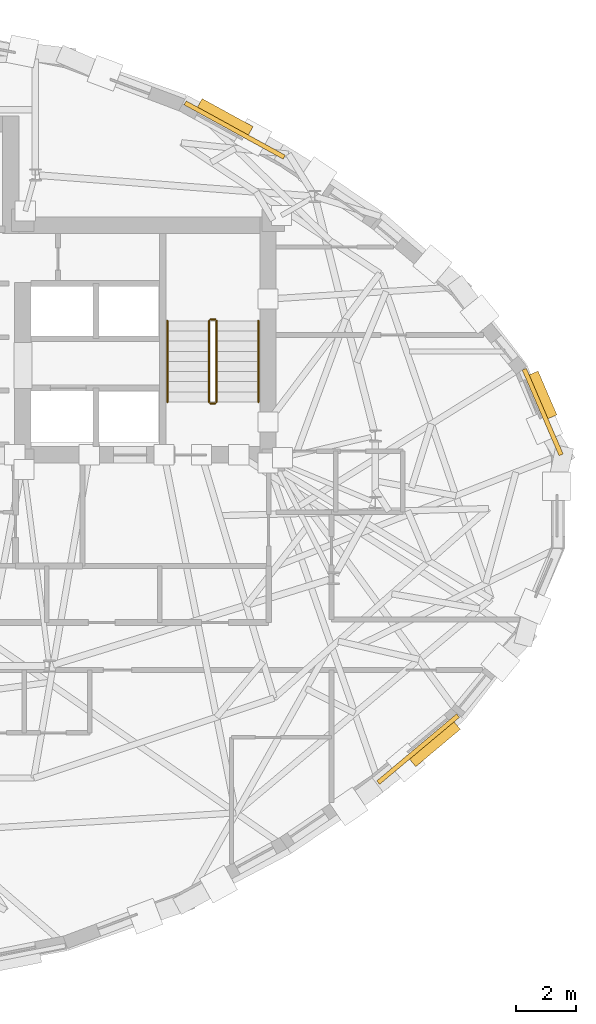
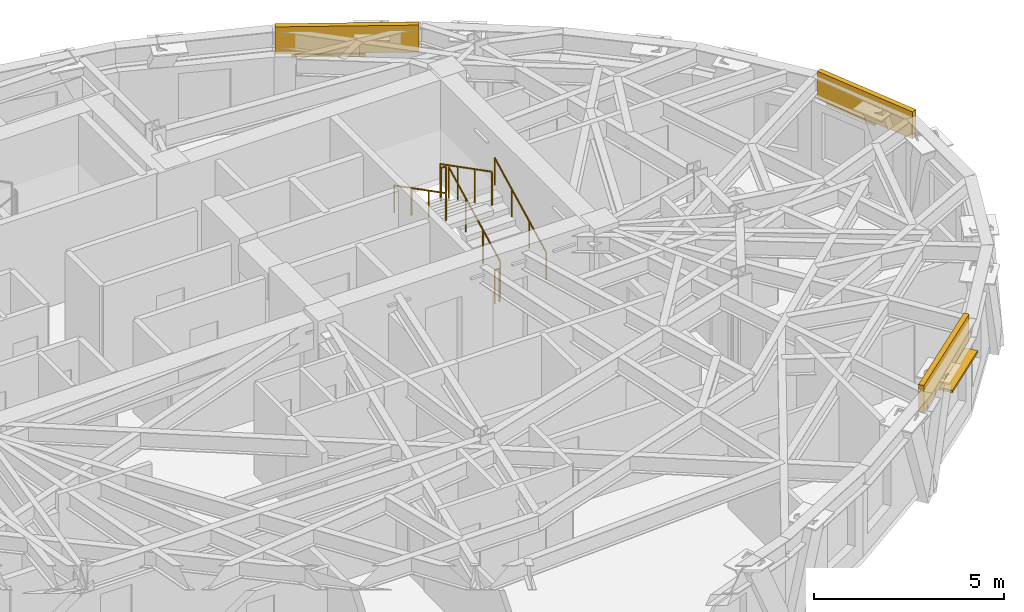
# One storey, part 14 of 14: 6 railings, 3 coverings, 3 shading devices.
"""IFC4 building model written with IfcOpenShell, lengths in metres."""

from ifc_helpers import new_model, si_unit, direction, frame, origin, origin_2d, place, context, subcontext, project, spatial, rectangle, circle, extrude, material, layer, layer_set, type_object, element, save


model = new_model("IFC4")

# Units and contexts
model_context = context("Model", 3, precision=1e-05, world=origin(), true_north=direction((0.0, 1.0)))
body_context = subcontext(model_context, "Body", "Model", "MODEL_VIEW")
ifc_project = project(units=[si_unit("LENGTHUNIT", "METRE"), si_unit("AREAUNIT", "SQUARE_METRE"), si_unit("VOLUMEUNIT", "CUBIC_METRE"), si_unit("PLANEANGLEUNIT", "RADIAN"), si_unit("MASSUNIT", "GRAM", prefix="KILO")], contexts=[model_context])

# Site, building, storey
site_placement = place(None, origin())
site = spatial("IfcSite", under=ifc_project, at=site_placement, CompositionType="ELEMENT")
building_placement = place(site_placement, origin())
building = spatial("IfcBuilding", under=site, at=building_placement, Name="Keldmark Tower", CompositionType="ELEMENT")
storey_placement = place(building_placement, frame((0.0, 0.0, 216.300048828125)))
storey = spatial("IfcBuildingStorey", under=building, at=storey_placement, Name="L60", CompositionType="ELEMENT", Elevation=216.300048828125)

# Shading devices
ifc_material_1 = material(Name="Kasota Buff Limestone Bullnose and Bronze Anodized Aluminum", Category="masonry")
ifc_layer_1 = layer(ifc_material_1, 0.080078125)
ifc_layer_set_1 = layer_set([ifc_layer_1], Name="Kasota Buff Limestone Bullnose and Bronze Anodized Aluminum")
shading_device_type = type_object("IfcShadingDeviceType", Name="Deep-Set Punched Window Stone-and-Metal Sunshade", PredefinedType="AWNING", material=ifc_layer_set_1)
shading_device_placement = place(storey_placement, frame((22.609130859375, 3.568115234375, 2.10986328125), z_axis=(0.0, 0.0, 1.0), x_axis=(0.394743856384, -0.918791210149, 0.0)))
element("IfcShadingDevice", 1, at=shading_device_placement, inside=storey, type_object=shading_device_type, Name="L60 Kasota Stone Window Sunshade 01", PredefinedType="AWNING", context=body_context, shape_type="SweptSolid", body=[
    extrude(rectangle(XDim=1.60009765625, YDim=0.419921875, at=origin_2d()), origin(), (0.0, 0.0, 1.0), 0.080078125),
])
for number, where, z_axis, x_axis, name in (
    (2, (11.969482421875, 12.8740234375, 2.10986328125), (0.0, 0.0, 1.0), (0.876877819519, -0.480713313355, 0.0), "L60 Kasota Stone Window Sunshade 05"),
    (3, (18.99560546875, -8.098388671875, 2.10986328125), (0.0, 0.0, 1.0), (-0.766066880173, -0.642760869299, 0.0), "L60 Kasota Stone Window Sunshade 29"),
):
    element("IfcShadingDevice", number, at=place(storey_placement, frame(where, z_axis=z_axis, x_axis=x_axis)), inside=storey, type_object=shading_device_type, Name=name, PredefinedType="AWNING", context=body_context, shape_type="SweptSolid", body=[
        extrude(rectangle(XDim=1.949951171875, YDim=0.419921875, at=origin_2d()), origin(), (0.0, 0.0, 1.0), 0.080078125),
    ])

# Coverings
ifc_material_2 = material(Name="Honed Kasota Buff Dolomitic Limestone", Category="masonry")
ifc_layer_2 = layer(ifc_material_2, 0.074951171875)
ifc_layer_set_2 = layer_set([ifc_layer_2], Name="Honed Kasota Buff Dolomitic Limestone")
covering_type = type_object("IfcCoveringType", Name="Kasota Buff Limestone Spandrel Cladding Band", PredefinedType="CLADDING", material=ifc_layer_set_2)
covering_1_placement = place(storey_placement, frame((22.641845703125, 3.01123046875, 2.260009765625), z_axis=(0.0, 0.0, 1.0), x_axis=(-0.394743856384, 0.918791210149, 0.0)))
element("IfcCovering", 4, at=covering_1_placement, inside=storey, type_object=covering_type, Name="L60 Kasota Limestone Spandrel Band 01", PredefinedType="CLADDING", context=body_context, shape_type="SweptSolid", body=[
    extrude(rectangle(XDim=3.12890625, YDim=0.14990234375, at=origin_2d()), origin(), (0.0, 0.0, 1.0), 0.8701171875),
])
covering_2_placement = place(storey_placement, frame((12.306396484375, 12.472900390625, 2.260009765625), z_axis=(0.0, 0.0, 1.0), x_axis=(-0.876877819519, 0.480713313355, 0.0)))
element("IfcCovering", 5, at=covering_2_placement, inside=storey, type_object=covering_type, Name="L60 Kasota Limestone Spandrel Band 05", PredefinedType="CLADDING", context=body_context, shape_type="SweptSolid", body=[
    extrude(rectangle(XDim=3.78759765625, YDim=0.14990234375, at=origin_2d()), origin(), (0.0, 0.0, 1.0), 0.8701171875),
])
covering_3_placement = place(storey_placement, frame((18.461669921875, -8.298095703125, 2.260009765625), z_axis=(0.0, 0.0, 1.0), x_axis=(0.766066880173, 0.642760869299, 0.0)))
element("IfcCovering", 6, at=covering_3_placement, inside=storey, type_object=covering_type, Name="L60 Kasota Limestone Spandrel Band 29", PredefinedType="CLADDING", context=body_context, shape_type="SweptSolid", body=[
    extrude(rectangle(XDim=3.49560546875, YDim=0.14990234375, at=origin_2d()), origin(), (0.0, 0.0, 1.0), 0.8701171875),
])

# Railings
ifc_material_3 = material(Name="Painted Steel ASTM A500 Grade B", Category="steel")
railing_type_1 = type_object("IfcRailingType", Name="Painted Steel Stair Well Guard 1100 mm", PredefinedType="GUARDRAIL", material=ifc_material_3)
railing_1_placement = place(storey_placement, frame((11.699951171875, 3.35009765625, 0.175048828125)))
element("IfcRailing", 7, at=railing_1_placement, inside=storey, type_object=railing_type_1, Name="L60 ST2 stair guard 1", PredefinedType="GUARDRAIL", context=body_context, shape_type="SweptSolid", body=[
    extrude(circle(Radius=0.02392578125, at=origin_2d()), frame((0.0, 0.0, 1.076171875), z_axis=(0.0, 0.889146794209, 0.457622091194), x_axis=(-1.0, 0.0, 0.0)), (0.0, 0.0, 1.0), 3.05908203125),
    extrude(circle(Radius=0.02099609375, at=origin_2d()), origin(), (0.0, 0.0, 1.0), 1.052001953125),
    extrude(circle(Radius=0.02099609375, at=origin_2d()), frame((0.0, 0.90673828125, 0.466552734375)), (0.0, 0.0, 1.0), 1.052001953125),
    extrude(circle(Radius=0.02099609375, at=origin_2d()), frame((0.0, 1.813232421875, 0.933349609375)), (0.0, 0.0, 1.0), 1.052001953125),
    extrude(circle(Radius=0.02099609375, at=origin_2d()), frame((0.0, 2.719970703125, 1.39990234375)), (0.0, 0.0, 1.0), 1.052001953125),
])
railing_2_placement = place(storey_placement, frame((11.64990234375, 6.1201171875, 1.574951171875)))
element("IfcRailing", 8, at=railing_2_placement, inside=storey, type_object=railing_type_1, Name="L60 ST2 stair guard 2", PredefinedType="GUARDRAIL", context=body_context, shape_type="SweptSolid", body=[
    extrude(circle(Radius=0.02392578125, at=origin_2d()), frame((0.0, 0.0, 1.076171875), z_axis=(-1.0, 0.0, 0.0), x_axis=(0.0, -1.0, 0.0)), (0.0, 0.0, 1.0), 0.14990234375),
    extrude(circle(Radius=0.02099609375, at=origin_2d()), origin(), (0.0, 0.0, 1.0), 1.052001953125),
    extrude(circle(Radius=0.02099609375, at=origin_2d()), frame((-0.14990234375, 0.0, 0.0)), (0.0, 0.0, 1.0), 1.052001953125),
])
railing_3_placement = place(storey_placement, frame((11.449951171875, 6.070068359375, 1.75)))
element("IfcRailing", 9, at=railing_3_placement, inside=storey, type_object=railing_type_1, Name="L60 ST2 stair guard 3", PredefinedType="GUARDRAIL", context=body_context, shape_type="SweptSolid", body=[
    extrude(circle(Radius=0.02392578125, at=origin_2d()), frame((0.0, 0.0, 1.076171875), z_axis=(0.0, -0.889146794209, 0.457622091194), x_axis=(1.0, 0.0, 0.0)), (0.0, 0.0, 1.0), 3.05908203125),
    extrude(circle(Radius=0.02099609375, at=origin_2d()), origin(), (0.0, 0.0, 1.0), 1.052001953125),
    extrude(circle(Radius=0.02099609375, at=origin_2d()), frame((0.0, -0.90673828125, 0.466552734375)), (0.0, 0.0, 1.0), 1.052001953125),
    extrude(circle(Radius=0.02099609375, at=origin_2d()), frame((0.0, -1.813232421875, 0.933349609375)), (0.0, 0.0, 1.0), 1.052001953125),
    extrude(circle(Radius=0.02099609375, at=origin_2d()), frame((0.0, -2.719970703125, 1.39990234375)), (0.0, 0.0, 1.0), 1.052001953125),
])
railing_4_placement = place(storey_placement, frame((11.64990234375, 3.300048828125, 0.0)))
element("IfcRailing", 10, at=railing_4_placement, inside=storey, type_object=railing_type_1, Name="L60 ST2 stair guard 4", PredefinedType="GUARDRAIL", context=body_context, shape_type="SweptSolid", body=[
    extrude(circle(Radius=0.02392578125, at=origin_2d()), frame((0.0, 0.0, 1.076171875), z_axis=(-1.0, 0.0, 0.0), x_axis=(0.0, -1.0, 0.0)), (0.0, 0.0, 1.0), 0.14990234375),
    extrude(circle(Radius=0.02099609375, at=origin_2d()), origin(), (0.0, 0.0, 1.0), 1.052001953125),
    extrude(circle(Radius=0.02099609375, at=origin_2d()), frame((-0.14990234375, 0.0, 0.0)), (0.0, 0.0, 1.0), 1.052001953125),
])
ifc_material_4 = material(Name="Stainless Steel AISI 316L", Category="steel")
railing_type_2 = type_object("IfcRailingType", Name="Stainless Steel Stair Handrail 900 mm", PredefinedType="HANDRAIL", material=ifc_material_4)
railing_5_placement = place(storey_placement, frame((13.10009765625, 3.35009765625, 0.175048828125)))
element("IfcRailing", 11, at=railing_5_placement, inside=storey, type_object=railing_type_2, Name="L60 ST2 stair handrail 1", PredefinedType="HANDRAIL", context=body_context, shape_type="SweptSolid", body=[
    extrude(circle(Radius=0.02392578125, at=origin_2d()), frame((0.0, 0.0, 0.8759765625), z_axis=(0.0, 0.889146794209, 0.457622091194), x_axis=(-1.0, 0.0, 0.0)), (0.0, 0.0, 1.0), 3.05908203125),
    extrude(circle(Radius=0.02099609375, at=origin_2d()), origin(), (0.0, 0.0, 1.0), 0.851806640625),
    extrude(circle(Radius=0.02099609375, at=origin_2d()), frame((0.0, 0.90673828125, 0.466552734375)), (0.0, 0.0, 1.0), 0.851806640625),
    extrude(circle(Radius=0.02099609375, at=origin_2d()), frame((0.0, 1.813232421875, 0.933349609375)), (0.0, 0.0, 1.0), 0.851806640625),
    extrude(circle(Radius=0.02099609375, at=origin_2d()), frame((0.0, 2.719970703125, 1.39990234375)), (0.0, 0.0, 1.0), 0.851806640625),
])
railing_6_placement = place(storey_placement, frame((10.050048828125, 6.070068359375, 1.75)))
element("IfcRailing", 12, at=railing_6_placement, inside=storey, type_object=railing_type_2, Name="L60 ST2 stair handrail 2", PredefinedType="HANDRAIL", context=body_context, shape_type="SweptSolid", body=[
    extrude(circle(Radius=0.02392578125, at=origin_2d()), frame((0.0, 0.0, 0.8759765625), z_axis=(0.0, -0.889146794209, 0.457622091194), x_axis=(1.0, 0.0, 0.0)), (0.0, 0.0, 1.0), 3.05908203125),
    extrude(circle(Radius=0.02099609375, at=origin_2d()), origin(), (0.0, 0.0, 1.0), 0.851806640625),
    extrude(circle(Radius=0.02099609375, at=origin_2d()), frame((0.0, -0.90673828125, 0.466552734375)), (0.0, 0.0, 1.0), 0.851806640625),
    extrude(circle(Radius=0.02099609375, at=origin_2d()), frame((0.0, -1.813232421875, 0.933349609375)), (0.0, 0.0, 1.0), 0.851806640625),
    extrude(circle(Radius=0.02099609375, at=origin_2d()), frame((0.0, -2.719970703125, 1.39990234375)), (0.0, 0.0, 1.0), 0.851806640625),
])

save(model, "model.ifc")
